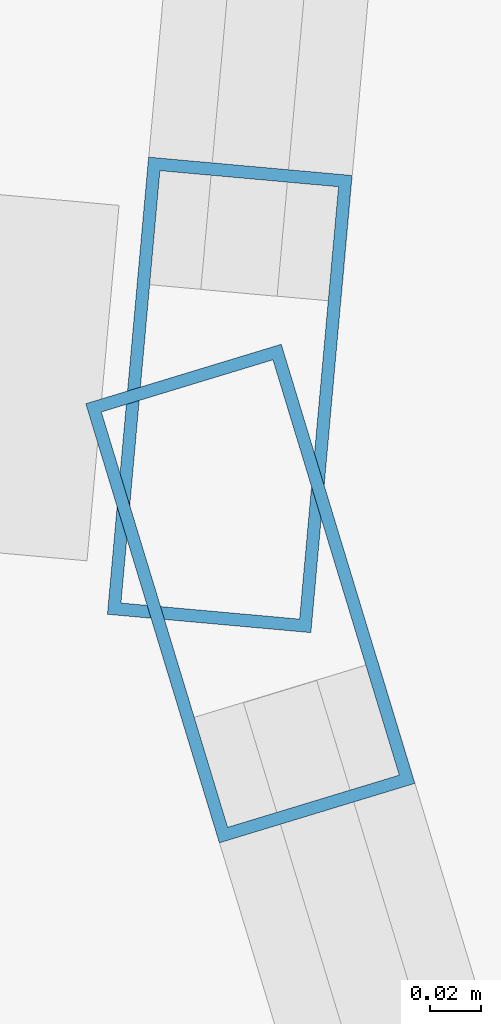
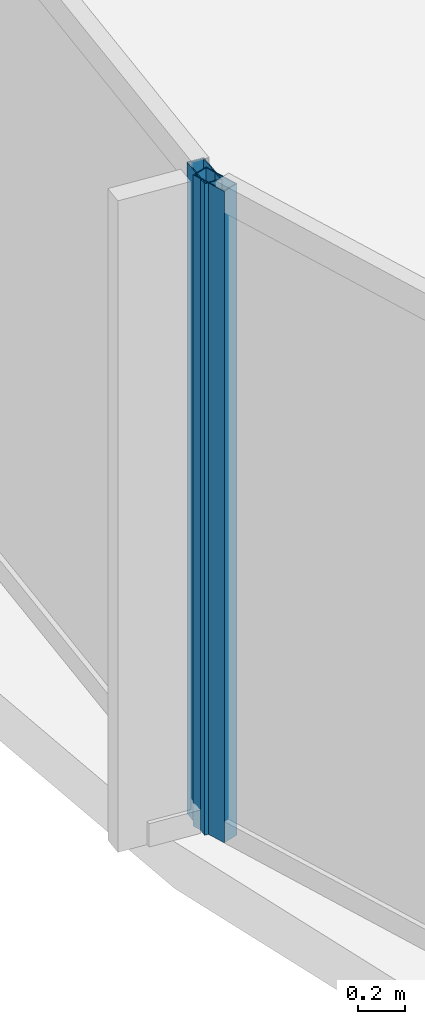
# One storey, part 8 of 33: 2 members, 2 elements without a shape of their own.
"""IFC4 building model written with IfcOpenShell, lengths in metres."""

from ifc_helpers import new_model, si_unit, direction, frame, origin, origin_2d, place, context, subcontext, project, spatial, hollow_rectangle, extrude, material, layer, layer_set, material_profile, profile_set, type_object, element, aggregate, save


model = new_model("IFC4")

# Units and contexts
model_context = context("Model", 3, precision=1e-05, world=origin(), true_north=direction((0.0, 1.0)))
body_context = subcontext(model_context, "Body", "Model", "MODEL_VIEW")
ifc_project = project(units=[si_unit("LENGTHUNIT", "METRE"), si_unit("AREAUNIT", "SQUARE_METRE"), si_unit("VOLUMEUNIT", "CUBIC_METRE"), si_unit("PLANEANGLEUNIT", "RADIAN"), si_unit("MASSUNIT", "GRAM", prefix="KILO")], contexts=[model_context])

# Site, building, storey
site_placement = place(None, origin())
site = spatial("IfcSite", under=ifc_project, at=site_placement, CompositionType="ELEMENT")
building_placement = place(site_placement, origin())
building = spatial("IfcBuilding", under=site, at=building_placement, Name="Kazevale Care Tower and Concert Hall", CompositionType="ELEMENT")
storey_placement = place(building_placement, frame((0.0, 0.0, 145.800048828125)))
storey = spatial("IfcBuildingStorey", under=building, at=storey_placement, Name="L38", CompositionType="ELEMENT", Elevation=145.800048828125)

# Curtain wall, member
ifc_material_1 = material(Name="Aluminium 6063-T6 and Low-E Glass", Category="aluminium")
ifc_layer = layer(ifc_material_1, 0.179931640625)
ifc_layer_set = layer_set([ifc_layer], Name="Aluminium 6063-T6 and Low-E Glass")
curtain_wall_type = type_object("IfcCurtainWallType", Name="Waist & Upper Residential Curtain Wall CW-4", PredefinedType="NOTDEFINED", material=ifc_layer_set)
curtain_wall_1_placement = place(storey_placement, origin())
curtain_wall_1 = element("IfcCurtainWall", 1, at=curtain_wall_1_placement, inside=storey, type_object=curtain_wall_type, Name="cw:L38:f12", PredefinedType="NOTDEFINED")
ifc_material_2 = material(Name="Aluminium 6063-T6", Category="aluminium")
ifc_material_profile = material_profile(ifc_material_2, hollow_rectangle(XDim=0.080078125, YDim=0.179931640625, WallThickness=0.0048828125, at=origin_2d()), Name="ALU80x180x5")
ifc_profile_set = profile_set([ifc_material_profile], Name="Aluminium 6063-T6")
member_type = type_object("IfcMemberType", Name="CW-4 Mullion ALU80x180x5", PredefinedType="MULLION", material=ifc_profile_set)
member_1_placement = place(storey_placement, frame((11.006591796875, 34.98583984375, 0.0), z_axis=(0.0, 0.0, 1.0), x_axis=(-0.956729897234, -0.290977496961, 0.0)))
member_1 = element("IfcMember", 2, at=member_1_placement, type_object=member_type, Name="CW-4 mullion 2", PredefinedType="MULLION", context=body_context, shape_type="SweptSolid", body=[
    extrude(hollow_rectangle(XDim=0.080078125, YDim=0.179931640625, WallThickness=0.0048828125, at=origin_2d()), origin(), (0.0, 0.0, 1.0), 3.35986328125),
])
aggregate(curtain_wall_1, [member_1])

curtain_wall_2_placement = place(storey_placement, origin())
curtain_wall_2 = element("IfcCurtainWall", 3, at=curtain_wall_2_placement, inside=storey, type_object=curtain_wall_type, Name="cw:L38:f13", PredefinedType="NOTDEFINED")
member_2_placement = place(storey_placement, frame((10.99853515625, 35.063720703125, 0.0), z_axis=(0.0, 0.0, 1.0), x_axis=(-0.995969703525, 0.089690298589, 0.0)))
member_2 = element("IfcMember", 4, at=member_2_placement, type_object=member_type, Name="CW-4 mullion 1", PredefinedType="MULLION", context=body_context, shape_type="SweptSolid", body=[
    extrude(hollow_rectangle(XDim=0.080078125, YDim=0.179931640625, WallThickness=0.0048828125, at=origin_2d()), origin(), (0.0, 0.0, 1.0), 3.35986328125),
])
aggregate(curtain_wall_2, [member_2])

save(model, "model.ifc")
